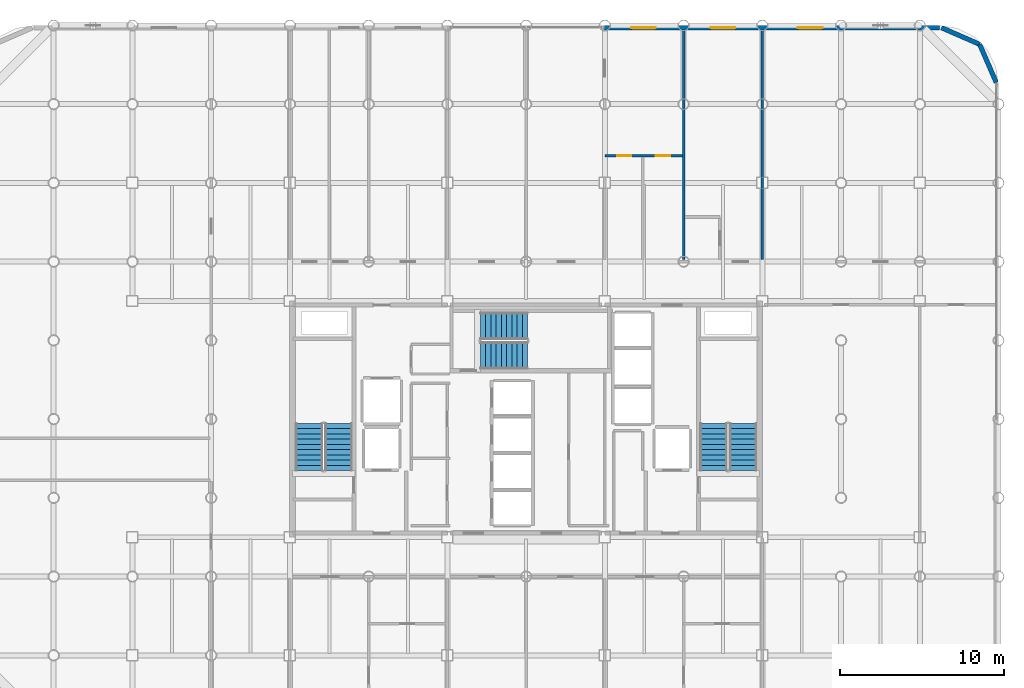
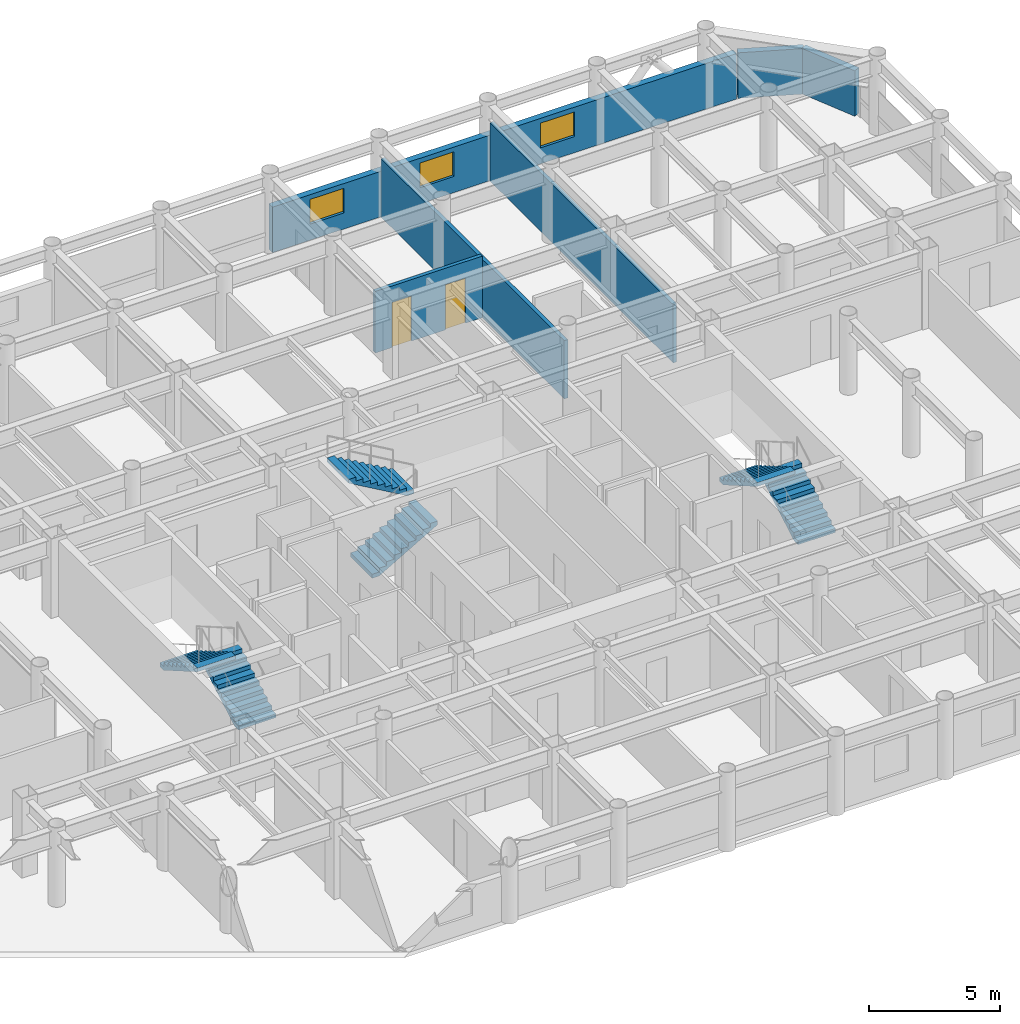
# One storey, part 19 of 20: 6 stair flights, 6 walls, 3 windows, 2 doors, 5 openings, 3 elements without a shape of their own.
"""IFC4 building model written with IfcOpenShell, lengths in metres."""

from ifc_helpers import new_model, si_unit, direction, frame, frame_2d, origin, place, context, subcontext, project, spatial, polyline, rectangle, outline, extrude, material, layer, layer_set, type_object, element, fill, aggregate, save


model = new_model("IFC4")

# Units and contexts
model_context = context("Model", 3, precision=1e-05, world=origin(), true_north=direction((0.0, 1.0)))
body_context = subcontext(model_context, "Body", "Model", "MODEL_VIEW")
ifc_project = project(units=[si_unit("LENGTHUNIT", "METRE"), si_unit("AREAUNIT", "SQUARE_METRE"), si_unit("VOLUMEUNIT", "CUBIC_METRE"), si_unit("PLANEANGLEUNIT", "RADIAN"), si_unit("MASSUNIT", "GRAM", prefix="KILO")], contexts=[model_context])

# Site, building, storey
site_placement = place(None, origin())
site = spatial("IfcSite", under=ifc_project, at=site_placement, CompositionType="ELEMENT")
building_placement = place(site_placement, origin())
building = spatial("IfcBuilding", under=site, at=building_placement, Name="Kallvorn Hotel Tower", CompositionType="ELEMENT")
storey_placement = place(building_placement, frame((0.0, 0.0, 135.89990234375)))
storey = spatial("IfcBuildingStorey", under=building, at=storey_placement, Name="L33", CompositionType="ELEMENT", Elevation=135.89990234375)

# Wall, openings, doors
ifc_material_1 = material(Name="Fire-rated double-layer acoustic gypsum drywall EI 60")
ifc_layer_1 = layer(ifc_material_1, 0.159912109375)
ifc_layer_set_1 = layer_set([ifc_layer_1], Name="WL_DEMISE_160")
wall_type_1 = type_object("IfcWallType", Name="WL_DEMISE_160", PredefinedType="PARTITIONING", material=ifc_layer_set_1)
wall_1_placement = place(storey_placement, frame((4.800048828125, 16.050048828125, 0.0), z_axis=(0.0, 0.0, 1.0), x_axis=(1.0, 0.0, 0.0)))
wall_1 = element("IfcWall", 1, at=wall_1_placement, inside=storey, type_object=wall_type_1, Name="L33 Suite 3303 Junior Bedroom Partition", PredefinedType="PARTITIONING", context=body_context, shape_type="SweptSolid", body=[
    extrude(rectangle(XDim=4.719970703125, YDim=0.159912109375, at=frame_2d((2.35986328125, 0.0))), origin(), (0.0, 0.0, 1.0), 2.8701171875),
])
opening_1_placement = place(wall_1_placement, frame((0.75, 0.0, 0.0)))
opening_1 = element("IfcOpeningElement", 2, at=opening_1_placement, cuts=wall_1, Name="Opening BD-I", PredefinedType="OPENING", context=body_context, shape_type="SweptSolid", body=[
    extrude(rectangle(XDim=0.860107421875, YDim=2.10009765625, at=frame_2d((0.43017578125, 1.050048828125))), frame((0.0, 0.094970703125, 0.0), z_axis=(0.0, -1.0, 0.0), x_axis=(1.0, 0.0, 0.0)), (0.0, 0.0, 1.0), 0.18994140625),
])
opening_2_placement = place(wall_1_placement, frame((3.090087890625, 0.0, 0.0)))
opening_2 = element("IfcOpeningElement", 3, at=opening_2_placement, cuts=wall_1, Name="Opening SVD1", PredefinedType="OPENING", context=body_context, shape_type="SweptSolid", body=[
    extrude(rectangle(XDim=0.89990234375, YDim=2.10009765625, at=frame_2d((0.449951171875, 1.050048828125))), frame((0.0, 0.094970703125, 0.0), z_axis=(0.0, -1.0, 0.0), x_axis=(1.0, 0.0, 0.0)), (0.0, 0.0, 1.0), 0.18994140625),
])
ifc_material_2 = material(Name="Solid-core walnut veneer fire-rated timber door leaf", Category="wood")
door_type_1 = type_object("IfcDoorType", Name="DR_BATH_860x2100", OperationType="NOTDEFINED", PredefinedType="DOOR", material=ifc_material_2)
door_1_placement = place(opening_1_placement, origin())
door_1 = element("IfcDoor", 4, at=door_1_placement, inside=storey, type_object=door_type_1, Name="L33 Suite 3303 En-Suite Bathroom Door", OperationType="SINGLE_SWING_LEFT", OverallHeight=2.10009765625, OverallWidth=0.860107421875, PredefinedType="DOOR", context=body_context, shape_type="SweptSolid", body=[
    extrude(rectangle(XDim=0.860107421875, YDim=2.10009765625, at=frame_2d((0.43017578125, 1.050048828125))), frame((0.0, 0.02490234375, 0.0), z_axis=(0.0, -1.0, 0.0), x_axis=(1.0, 0.0, 0.0)), (0.0, 0.0, 1.0), 0.050048828125),
])
fill(opening_1, door_1)
ifc_material_3 = material(Name="Galvanised painted steel fire-rated door assembly", Category="steel")
door_type_2 = type_object("IfcDoorType", Name="DR_SERV_900x2100", OperationType="NOTDEFINED", PredefinedType="DOOR", material=ifc_material_3)
door_2_placement = place(opening_2_placement, origin())
door_2 = element("IfcDoor", 5, at=door_2_placement, inside=storey, type_object=door_type_2, Name="L33 Suite 3303 Walk-In Dressing Closet Door", OperationType="SINGLE_SWING_RIGHT", OverallHeight=2.10009765625, OverallWidth=0.89990234375, PredefinedType="DOOR", context=body_context, shape_type="SweptSolid", body=[
    extrude(rectangle(XDim=0.89990234375, YDim=2.10009765625, at=frame_2d((0.449951171875, 1.050048828125))), frame((0.0, 0.02490234375, 0.0), z_axis=(0.0, -1.0, 0.0), x_axis=(1.0, 0.0, 0.0)), (0.0, 0.0, 1.0), 0.050048828125),
])
fill(opening_2, door_2)

# Walls
for number, where, z_axis, x_axis, name in (
    (6, (9.60009765625, 9.719970703125, 0.0), (0.0, 0.0, 1.0), (0.0, 1.0, 0.0), "L33 Suite 3304 Standard Twin Room Partition"),
    (7, (14.39990234375, 9.719970703125, 0.0), (0.0, 0.0, 1.0), (0.0, 1.0, 0.0), "L33 Suite 3304 Standard Twin Room Partition"),
):
    element("IfcWall", number, at=place(storey_placement, frame(where, z_axis=z_axis, x_axis=x_axis)), inside=storey, type_object=wall_type_1, Name=name, PredefinedType="PARTITIONING", context=body_context, shape_type="SweptSolid", body=[
        extrude(rectangle(XDim=13.989990234375, YDim=0.159912109375, at=frame_2d((6.9951171875, 0.0))), origin(), (0.0, 0.0, 1.0), 2.72021484375),
    ])
ifc_material_4 = material(Name="Precast basalt-clad insulated concrete wall C40/50", Category="masonry")
ifc_layer_2 = layer(ifc_material_4, 0.280029296875)
ifc_layer_set_2 = layer_set([ifc_layer_2], Name="WL_EXT_LOGGIA_280")
wall_type_2 = type_object("IfcWallType", Name="WL_EXT_LOGGIA_280", PredefinedType="SOLIDWALL", material=ifc_layer_set_2)
wall_2_placement = place(storey_placement, frame((28.657958984375, 20.520751953125, 0.0), z_axis=(0.0, 0.0, 1.0), x_axis=(-0.398792985289, 0.917040977756, 0.0)))
element("IfcWall", 8, at=wall_2_placement, inside=storey, type_object=wall_type_2, Name="L33 Rounded Corner Exterior Wall NE1", PredefinedType="SOLIDWALL", context=body_context, shape_type="SweptSolid", body=[
    extrude(rectangle(XDim=2.536376953125, YDim=0.280029296875, at=frame_2d((1.26806640625, 0.0))), origin(), (0.0, 0.0, 1.0), 2.1201171875),
])
wall_3_placement = place(storey_placement, frame((27.646484375, 22.8466796875, 0.0), z_axis=(0.0, 0.0, 1.0), x_axis=(-0.917060872934, 0.398747232384, 0.0)))
element("IfcWall", 9, at=wall_3_placement, inside=storey, type_object=wall_type_2, Name="L33 Rounded Corner Exterior Wall NE2", PredefinedType="SOLIDWALL", context=body_context, shape_type="SweptSolid", body=[
    extrude(rectangle(XDim=2.5361328125, YDim=0.280029296875, at=frame_2d((1.26806640625, 0.0))), origin(), (0.0, 0.0, 1.0), 2.1201171875),
])

# Wall, openings, windows
wall_4_placement = place(storey_placement, frame((4.75, 23.860107421875, 0.0), z_axis=(0.0, 0.0, 1.0), x_axis=(1.0, 0.0, 0.0)))
wall_4 = element("IfcWall", 10, at=wall_4_placement, inside=storey, type_object=wall_type_2, Name="L33 Exterior Envelope Wall EW-L33-NE", PredefinedType="SOLIDWALL", context=body_context, shape_type="SweptSolid", body=[
    extrude(rectangle(XDim=20.449951171875, YDim=0.280029296875, at=frame_2d((10.22509765625, 0.0))), origin(), (0.0, 0.0, 1.0), 2.1201171875),
])
opening_3_placement = place(wall_4_placement, frame((11.81689453125, 0.0, 0.75)))
opening_3 = element("IfcOpeningElement", 11, at=opening_3_placement, cuts=wall_4, Name="Opening W05A", PredefinedType="OPENING", context=body_context, shape_type="SweptSolid", body=[
    extrude(rectangle(XDim=1.5, YDim=1.14990234375, at=frame_2d((0.75, 0.574951171875))), frame((0.0, 0.155029296875, 0.0), z_axis=(0.0, -1.0, 0.0), x_axis=(1.0, 0.0, 0.0)), (0.0, 0.0, 1.0), 0.31005859375),
])
opening_4_placement = place(wall_4_placement, frame((1.659912109375, 0.0, 0.75)))
opening_4 = element("IfcOpeningElement", 12, at=opening_4_placement, cuts=wall_4, Name="Opening W05A", PredefinedType="OPENING", context=body_context, shape_type="SweptSolid", body=[
    extrude(rectangle(XDim=1.5, YDim=1.14990234375, at=frame_2d((0.75, 0.574951171875))), frame((0.0, 0.155029296875, 0.0), z_axis=(0.0, -1.0, 0.0), x_axis=(1.0, 0.0, 0.0)), (0.0, 0.0, 1.0), 0.31005859375),
])
opening_5_placement = place(wall_4_placement, frame((6.5, 0.0, 0.75)))
opening_5 = element("IfcOpeningElement", 13, at=opening_5_placement, cuts=wall_4, Name="Opening W05A", PredefinedType="OPENING", context=body_context, shape_type="SweptSolid", body=[
    extrude(rectangle(XDim=1.5, YDim=1.14990234375, at=frame_2d((0.75, 0.574951171875))), frame((0.0, 0.155029296875, 0.0), z_axis=(0.0, -1.0, 0.0), x_axis=(1.0, 0.0, 0.0)), (0.0, 0.0, 1.0), 0.31005859375),
])
ifc_material_5 = material(Name="Double-glazed low-e solar-control dark glass", Category="glass")
window_type = type_object("IfcWindowType", Name="WN_HTL_1500x1150", PartitioningType="SINGLE_PANEL", PredefinedType="WINDOW", material=ifc_material_5)
window_1_placement = place(opening_3_placement, origin())
window_1 = element("IfcWindow", 14, at=window_1_placement, inside=storey, type_object=window_type, Name="L33 Guestroom Exterior Window 03", OverallHeight=1.14990234375, OverallWidth=1.5, PartitioningType="SINGLE_PANEL", PredefinedType="WINDOW", context=body_context, shape_type="SweptSolid", body=[
    extrude(rectangle(XDim=1.5, YDim=1.14990234375, at=frame_2d((0.75, 0.574951171875))), frame((0.0, 0.030029296875, 0.0), z_axis=(0.0, -1.0, 0.0), x_axis=(1.0, 0.0, 0.0)), (0.0, 0.0, 1.0), 0.06005859375),
])
fill(opening_3, window_1)
window_2_placement = place(opening_4_placement, origin())
window_2 = element("IfcWindow", 15, at=window_2_placement, inside=storey, type_object=window_type, Name="L33 Guestroom Exterior Window 11", OverallHeight=1.14990234375, OverallWidth=1.5, PartitioningType="SINGLE_PANEL", PredefinedType="WINDOW", context=body_context, shape_type="SweptSolid", body=[
    extrude(rectangle(XDim=1.5, YDim=1.14990234375, at=frame_2d((0.75, 0.574951171875))), frame((0.0, 0.030029296875, 0.0), z_axis=(0.0, -1.0, 0.0), x_axis=(1.0, 0.0, 0.0)), (0.0, 0.0, 1.0), 0.06005859375),
])
fill(opening_4, window_2)
window_3_placement = place(opening_5_placement, origin())
window_3 = element("IfcWindow", 16, at=window_3_placement, inside=storey, type_object=window_type, Name="L33 Guestroom Exterior Window 12", OverallHeight=1.14990234375, OverallWidth=1.5, PartitioningType="SINGLE_PANEL", PredefinedType="WINDOW", context=body_context, shape_type="SweptSolid", body=[
    extrude(rectangle(XDim=1.5, YDim=1.14990234375, at=frame_2d((0.75, 0.574951171875))), frame((0.0, 0.030029296875, 0.0), z_axis=(0.0, -1.0, 0.0), x_axis=(1.0, 0.0, 0.0)), (0.0, 0.0, 1.0), 0.06005859375),
])
fill(opening_5, window_3)

# Stair, stair flights
ifc_material_6 = material(Name="Precast concrete C40/50", Category="concrete")
stair_type = type_object("IfcStairType", Name="STR_CORE_DOGLEG", PredefinedType="HALF_TURN_STAIR", material=ifc_material_6)
stair_1_placement = place(storey_placement, origin())
stair_1 = element("IfcStair", 17, at=stair_1_placement, inside=storey, type_object=stair_type, Name="L33 Exit stair ST1", PredefinedType="HALF_TURN_STAIR")
ifc_material_7 = material(Name="Precast concrete C40/50", Category="concrete")
stair_flight_type = type_object("IfcStairFlightType", Name="FLT_CORE_1660", PredefinedType="STRAIGHT", material=ifc_material_7)
stair_flight_1_placement = place(storey_placement, frame((-11.429931640625, -3.139892578125, 0.0), z_axis=(0.0, 0.0, 1.0), x_axis=(0.0, 1.0, 0.0)))
stair_flight_1 = element("IfcStairFlight", 18, at=stair_flight_1_placement, type_object=stair_flight_type, Name="ST1 flight 1", NumberOfRisers=10, NumberOfTreads=9, PredefinedType="STRAIGHT", RiserHeight=0.185, TreadLength=0.32, context=body_context, shape_type="SweptSolid", body=[
    extrude(outline(polyline([(0.0, 0.0), (0.0, 0.18505859375), (0.320068359375, 0.18505859375), (0.320068359375, 0.3701171875), (0.639892578125, 0.3701171875), (0.639892578125, 0.554931640625), (0.9599609375, 0.554931640625), (0.9599609375, 0.739990234375), (1.280029296875, 0.739990234375), (1.280029296875, 0.925048828125), (1.60009765625, 0.925048828125), (1.60009765625, 1.110107421875), (1.919921875, 1.110107421875), (1.919921875, 1.294921875), (2.239990234375, 1.294921875), (2.239990234375, 1.47998046875), (2.56005859375, 1.47998046875), (2.56005859375, 1.6650390625), (2.8798828125, 1.6650390625), (2.8798828125, 1.85009765625), (2.8798828125, 1.491943359375), (0.299560546875, 0.0), (0.0, 0.0)])), frame((0.0, 0.830078125, 0.0), z_axis=(0.0, -1.0, 0.0), x_axis=(1.0, 0.0, 0.0)), (0.0, 0.0, 1.0), 1.659912109375),
])
stair_flight_2_placement = place(storey_placement, frame((-13.22998046875, -0.260009765625, 1.85009765625), z_axis=(0.0, 0.0, 1.0), x_axis=(0.0, -1.0, 0.0)))
stair_flight_2 = element("IfcStairFlight", 19, at=stair_flight_2_placement, type_object=stair_flight_type, Name="ST1 flight 2", NumberOfRisers=10, NumberOfTreads=9, PredefinedType="STRAIGHT", RiserHeight=0.185, TreadLength=0.32, context=body_context, shape_type="SweptSolid", body=[
    extrude(outline(polyline([(0.0, 0.0), (0.0, 0.18505859375), (0.320068359375, 0.18505859375), (0.320068359375, 0.3701171875), (0.639892578125, 0.3701171875), (0.639892578125, 0.554931640625), (0.9599609375, 0.554931640625), (0.9599609375, 0.739990234375), (1.280029296875, 0.739990234375), (1.280029296875, 0.925048828125), (1.60009765625, 0.925048828125), (1.60009765625, 1.110107421875), (1.919921875, 1.110107421875), (1.919921875, 1.294921875), (2.239990234375, 1.294921875), (2.239990234375, 1.47998046875), (2.56005859375, 1.47998046875), (2.56005859375, 1.6650390625), (2.8798828125, 1.6650390625), (2.8798828125, 1.85009765625), (2.8798828125, 1.491943359375), (0.299560546875, 0.0), (0.0, 0.0)])), frame((0.0, 0.830078125, 0.0), z_axis=(0.0, -1.0, 0.0), x_axis=(1.0, 0.0, 0.0)), (0.0, 0.0, 1.0), 1.659912109375),
])
aggregate(stair_1, [stair_flight_1, stair_flight_2])

stair_2_placement = place(storey_placement, origin())
stair_2 = element("IfcStair", 20, at=stair_2_placement, inside=storey, type_object=stair_type, Name="L33 Exit stair ST2", PredefinedType="HALF_TURN_STAIR")
stair_flight_3_placement = place(storey_placement, frame((13.22998046875, -3.139892578125, 0.0), z_axis=(0.0, 0.0, 1.0), x_axis=(0.0, 1.0, 0.0)))
stair_flight_3 = element("IfcStairFlight", 21, at=stair_flight_3_placement, type_object=stair_flight_type, Name="ST2 flight 1", NumberOfRisers=10, NumberOfTreads=9, PredefinedType="STRAIGHT", RiserHeight=0.185, TreadLength=0.32, context=body_context, shape_type="SweptSolid", body=[
    extrude(outline(polyline([(0.0, 0.0), (0.0, 0.18505859375), (0.320068359375, 0.18505859375), (0.320068359375, 0.3701171875), (0.639892578125, 0.3701171875), (0.639892578125, 0.554931640625), (0.9599609375, 0.554931640625), (0.9599609375, 0.739990234375), (1.280029296875, 0.739990234375), (1.280029296875, 0.925048828125), (1.60009765625, 0.925048828125), (1.60009765625, 1.110107421875), (1.919921875, 1.110107421875), (1.919921875, 1.294921875), (2.239990234375, 1.294921875), (2.239990234375, 1.47998046875), (2.56005859375, 1.47998046875), (2.56005859375, 1.6650390625), (2.8798828125, 1.6650390625), (2.8798828125, 1.85009765625), (2.8798828125, 1.491943359375), (0.299560546875, 0.0), (0.0, 0.0)])), frame((0.0, 0.830078125, 0.0), z_axis=(0.0, -1.0, 0.0), x_axis=(1.0, 0.0, 0.0)), (0.0, 0.0, 1.0), 1.659912109375),
])
stair_flight_4_placement = place(storey_placement, frame((11.429931640625, -0.260009765625, 1.85009765625), z_axis=(0.0, 0.0, 1.0), x_axis=(0.0, -1.0, 0.0)))
stair_flight_4 = element("IfcStairFlight", 22, at=stair_flight_4_placement, type_object=stair_flight_type, Name="ST2 flight 2", NumberOfRisers=10, NumberOfTreads=9, PredefinedType="STRAIGHT", RiserHeight=0.185, TreadLength=0.32, context=body_context, shape_type="SweptSolid", body=[
    extrude(outline(polyline([(0.0, 0.0), (0.0, 0.18505859375), (0.320068359375, 0.18505859375), (0.320068359375, 0.3701171875), (0.639892578125, 0.3701171875), (0.639892578125, 0.554931640625), (0.9599609375, 0.554931640625), (0.9599609375, 0.739990234375), (1.280029296875, 0.739990234375), (1.280029296875, 0.925048828125), (1.60009765625, 0.925048828125), (1.60009765625, 1.110107421875), (1.919921875, 1.110107421875), (1.919921875, 1.294921875), (2.239990234375, 1.294921875), (2.239990234375, 1.47998046875), (2.56005859375, 1.47998046875), (2.56005859375, 1.6650390625), (2.8798828125, 1.6650390625), (2.8798828125, 1.85009765625), (2.8798828125, 1.491943359375), (0.299560546875, 0.0), (0.0, 0.0)])), frame((0.0, 0.830078125, 0.0), z_axis=(0.0, -1.0, 0.0), x_axis=(1.0, 0.0, 0.0)), (0.0, 0.0, 1.0), 1.659912109375),
])
aggregate(stair_2, [stair_flight_3, stair_flight_4])

stair_3_placement = place(storey_placement, origin())
stair_3 = element("IfcStair", 23, at=stair_3_placement, inside=storey, type_object=stair_type, Name="L33 Exit stair ST3", PredefinedType="HALF_TURN_STAIR")
stair_flight_5_placement = place(storey_placement, frame((-2.7900390625, 3.8798828125, 0.0), z_axis=(0.0, 0.0, 1.0), x_axis=(1.0, 0.0, 0.0)))
stair_flight_5 = element("IfcStairFlight", 24, at=stair_flight_5_placement, type_object=stair_flight_type, Name="ST3 flight 1", NumberOfRisers=10, NumberOfTreads=9, PredefinedType="STRAIGHT", RiserHeight=0.185, TreadLength=0.32, context=body_context, shape_type="SweptSolid", body=[
    extrude(outline(polyline([(0.0, 0.0), (0.0, 0.18505859375), (0.320068359375, 0.18505859375), (0.320068359375, 0.3701171875), (0.639892578125, 0.3701171875), (0.639892578125, 0.554931640625), (0.9599609375, 0.554931640625), (0.9599609375, 0.739990234375), (1.280029296875, 0.739990234375), (1.280029296875, 0.925048828125), (1.60009765625, 0.925048828125), (1.60009765625, 1.110107421875), (1.919921875, 1.110107421875), (1.919921875, 1.294921875), (2.239990234375, 1.294921875), (2.239990234375, 1.47998046875), (2.56005859375, 1.47998046875), (2.56005859375, 1.6650390625), (2.8798828125, 1.6650390625), (2.8798828125, 1.85009765625), (2.8798828125, 1.491943359375), (0.299560546875, 0.0), (0.0, 0.0)])), frame((0.0, 0.830078125, 0.0), z_axis=(0.0, -1.0, 0.0), x_axis=(1.0, 0.0, 0.0)), (0.0, 0.0, 1.0), 1.659912109375),
])
stair_flight_6_placement = place(storey_placement, frame((0.090087890625, 5.679931640625, 1.85009765625), z_axis=(0.0, 0.0, 1.0), x_axis=(-1.0, 0.0, 0.0)))
stair_flight_6 = element("IfcStairFlight", 25, at=stair_flight_6_placement, type_object=stair_flight_type, Name="ST3 flight 2", NumberOfRisers=10, NumberOfTreads=9, PredefinedType="STRAIGHT", RiserHeight=0.185, TreadLength=0.32, context=body_context, shape_type="SweptSolid", body=[
    extrude(outline(polyline([(0.0, 0.0), (0.0, 0.18505859375), (0.320068359375, 0.18505859375), (0.320068359375, 0.3701171875), (0.639892578125, 0.3701171875), (0.639892578125, 0.554931640625), (0.9599609375, 0.554931640625), (0.9599609375, 0.739990234375), (1.280029296875, 0.739990234375), (1.280029296875, 0.925048828125), (1.60009765625, 0.925048828125), (1.60009765625, 1.110107421875), (1.919921875, 1.110107421875), (1.919921875, 1.294921875), (2.239990234375, 1.294921875), (2.239990234375, 1.47998046875), (2.56005859375, 1.47998046875), (2.56005859375, 1.6650390625), (2.8798828125, 1.6650390625), (2.8798828125, 1.85009765625), (2.8798828125, 1.491943359375), (0.299560546875, 0.0), (0.0, 0.0)])), frame((0.0, 0.830078125, 0.0), z_axis=(0.0, -1.0, 0.0), x_axis=(1.0, 0.0, 0.0)), (0.0, 0.0, 1.0), 1.659912109375),
])
aggregate(stair_3, [stair_flight_5, stair_flight_6])

save(model, "model.ifc")
